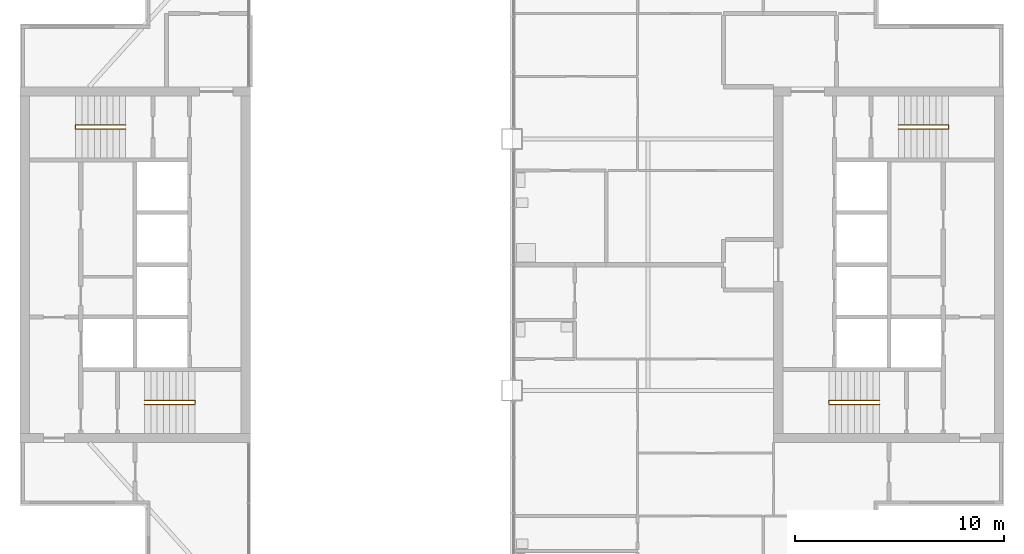
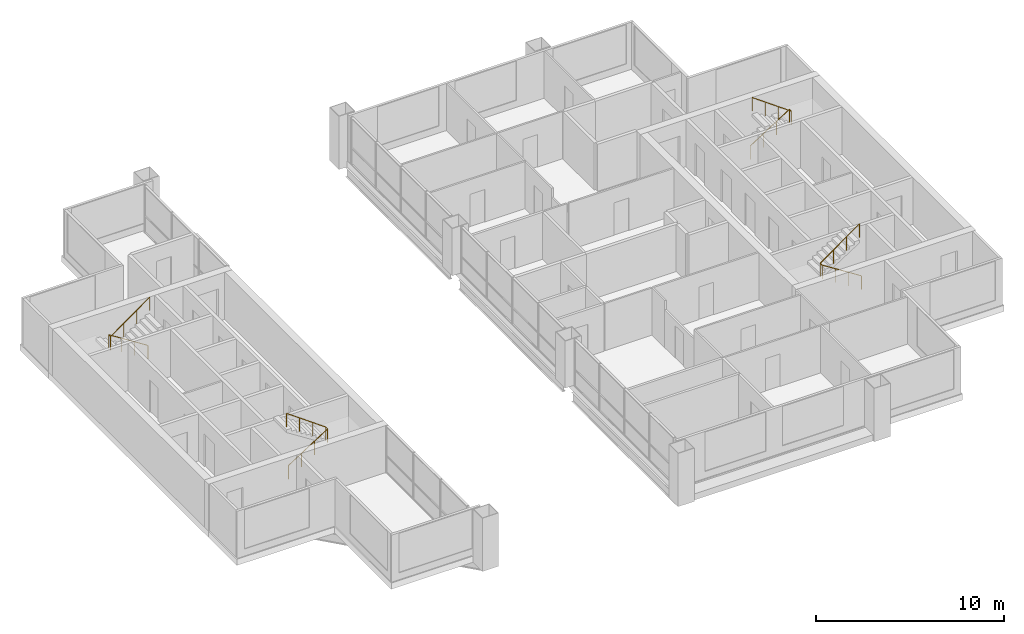
# One storey, part 11 of 12: 4 railings.
"""IFC4 building model written with IfcOpenShell, lengths in metres."""

from ifc_helpers import new_model, si_unit, direction, frame, origin, origin_2d, place, context, subcontext, project, spatial, circle, extrude, material, type_object, element, save


model = new_model("IFC4")

# Units and contexts
model_context = context("Model", 3, precision=1e-05, world=origin(), true_north=direction((0.0, 1.0)))
body_context = subcontext(model_context, "Body", "Model", "MODEL_VIEW")
ifc_project = project(units=[si_unit("LENGTHUNIT", "METRE"), si_unit("AREAUNIT", "SQUARE_METRE"), si_unit("VOLUMEUNIT", "CUBIC_METRE"), si_unit("PLANEANGLEUNIT", "RADIAN"), si_unit("MASSUNIT", "GRAM", prefix="KILO")], contexts=[model_context])

# Site, building, storey
site_placement = place(None, origin())
site = spatial("IfcSite", under=ifc_project, at=site_placement, CompositionType="ELEMENT")
building_placement = place(site_placement, origin())
building = spatial("IfcBuilding", under=site, at=building_placement, Name="Kitamizu Gate Tower and Museum", CompositionType="ELEMENT")
storey_placement = place(building_placement, frame((0.0, 0.0, 255.89990234375)))
storey = spatial("IfcBuildingStorey", under=building, at=storey_placement, Name="L69", CompositionType="ELEMENT", Elevation=255.89990234375)

# Railings
ifc_material = material(Name="Stainless steel SUS304", Category="steel")
railing_type = type_object("IfcRailingType", Name="Stair handrail 900", PredefinedType="HANDRAIL", material=ifc_material)
railing_1_placement = place(storey_placement, frame((18.449951171875, 23.324951171875, 0.191650390625)))
element("IfcRailing", 1, at=railing_1_placement, inside=storey, type_object=railing_type, Name="Stair handrail ST1", PredefinedType="HANDRAIL", context=body_context, shape_type="SweptSolid", body=[
    extrude(circle(Radius=0.02392578125, at=origin_2d()), frame((0.0, 0.0, 0.8759765625), z_axis=(0.842693018954, 0.0, 0.538394349715), x_axis=(0.0, 1.0, 0.0)), (0.0, 0.0, 1.0), 2.84814453125),
    extrude(circle(Radius=0.02392578125, at=origin_2d()), frame((2.400146484375, 0.0, 2.4091796875), z_axis=(0.0, 1.0, 0.0), x_axis=(-1.0, 0.0, 0.0)), (0.0, 0.0, 1.0), 0.199951171875),
    extrude(circle(Radius=0.02392578125, at=origin_2d()), frame((2.400146484375, 0.199951171875, 2.4091796875), z_axis=(-0.812016594614, 0.0, 0.583634346205), x_axis=(0.0, -1.0, 0.0)), (0.0, 0.0, 1.0), 2.955810546875),
    extrude(circle(Radius=0.02099609375, at=origin_2d()), origin(), (0.0, 0.0, 1.0), 0.851806640625),
    extrude(circle(Radius=0.02099609375, at=origin_2d()), frame((0.800048828125, 0.0, 0.51123046875)), (0.0, 0.0, 1.0), 0.851806640625),
    extrude(circle(Radius=0.02099609375, at=origin_2d()), frame((1.60009765625, 0.0, 1.022216796875)), (0.0, 0.0, 1.0), 0.851806640625),
    extrude(circle(Radius=0.02099609375, at=origin_2d()), frame((2.400146484375, 0.0, 1.533447265625)), (0.0, 0.0, 1.0), 0.851806640625),
    extrude(circle(Radius=0.02099609375, at=origin_2d()), frame((2.400146484375, 0.199951171875, 1.533447265625)), (0.0, 0.0, 1.0), 0.851806640625),
    extrude(circle(Radius=0.02099609375, at=origin_2d()), frame((1.60009765625, 0.199951171875, 2.1083984375)), (0.0, 0.0, 1.0), 0.851806640625),
    extrude(circle(Radius=0.02099609375, at=origin_2d()), frame((0.800048828125, 0.199951171875, 2.68359375)), (0.0, 0.0, 1.0), 0.851806640625),
    extrude(circle(Radius=0.02099609375, at=origin_2d()), frame((0.0, 0.199951171875, 3.258544921875)), (0.0, 0.0, 1.0), 0.851806640625),
])
railing_2_placement = place(storey_placement, frame((17.550048828125, 36.675048828125, 0.191650390625)))
element("IfcRailing", 2, at=railing_2_placement, inside=storey, type_object=railing_type, Name="Stair handrail ST2", PredefinedType="HANDRAIL", context=body_context, shape_type="SweptSolid", body=[
    extrude(circle(Radius=0.02392578125, at=origin_2d()), frame((0.0, 0.0, 0.8759765625), z_axis=(-0.842693018954, 0.0, 0.538394349715), x_axis=(0.0, -1.0, 0.0)), (0.0, 0.0, 1.0), 2.84814453125),
    extrude(circle(Radius=0.02392578125, at=origin_2d()), frame((-2.400146484375, 0.0, 2.4091796875), z_axis=(0.0, -1.0, 0.0), x_axis=(1.0, 0.0, 0.0)), (0.0, 0.0, 1.0), 0.199951171875),
    extrude(circle(Radius=0.02392578125, at=origin_2d()), frame((-2.400146484375, -0.199951171875, 2.4091796875), z_axis=(0.812016594614, 0.0, 0.583634346205), x_axis=(0.0, 1.0, 0.0)), (0.0, 0.0, 1.0), 2.955810546875),
    extrude(circle(Radius=0.02099609375, at=origin_2d()), origin(), (0.0, 0.0, 1.0), 0.851806640625),
    extrude(circle(Radius=0.02099609375, at=origin_2d()), frame((-0.800048828125, 0.0, 0.51123046875)), (0.0, 0.0, 1.0), 0.851806640625),
    extrude(circle(Radius=0.02099609375, at=origin_2d()), frame((-1.60009765625, 0.0, 1.022216796875)), (0.0, 0.0, 1.0), 0.851806640625),
    extrude(circle(Radius=0.02099609375, at=origin_2d()), frame((-2.400146484375, 0.0, 1.533447265625)), (0.0, 0.0, 1.0), 0.851806640625),
    extrude(circle(Radius=0.02099609375, at=origin_2d()), frame((-2.400146484375, -0.199951171875, 1.533447265625)), (0.0, 0.0, 1.0), 0.851806640625),
    extrude(circle(Radius=0.02099609375, at=origin_2d()), frame((-1.60009765625, -0.199951171875, 2.1083984375)), (0.0, 0.0, 1.0), 0.851806640625),
    extrude(circle(Radius=0.02099609375, at=origin_2d()), frame((-0.800048828125, -0.199951171875, 2.68359375)), (0.0, 0.0, 1.0), 0.851806640625),
    extrude(circle(Radius=0.02099609375, at=origin_2d()), frame((0.0, -0.199951171875, 3.258544921875)), (0.0, 0.0, 1.0), 0.851806640625),
])
railing_3_placement = place(storey_placement, frame((53.550048828125, 23.324951171875, 0.191650390625)))
element("IfcRailing", 3, at=railing_3_placement, inside=storey, type_object=railing_type, Name="Stair handrail ST3", PredefinedType="HANDRAIL", context=body_context, shape_type="SweptSolid", body=[
    extrude(circle(Radius=0.02392578125, at=origin_2d()), frame((0.0, 0.0, 0.8759765625), z_axis=(-0.842693018954, 0.0, 0.538394349715), x_axis=(0.0, -1.0, 0.0)), (0.0, 0.0, 1.0), 2.84814453125),
    extrude(circle(Radius=0.02392578125, at=origin_2d()), frame((-2.400146484375, 0.0, 2.4091796875), z_axis=(0.0, 1.0, 0.0), x_axis=(-1.0, 0.0, 0.0)), (0.0, 0.0, 1.0), 0.199951171875),
    extrude(circle(Radius=0.02392578125, at=origin_2d()), frame((-2.400146484375, 0.199951171875, 2.4091796875), z_axis=(0.812016594614, 0.0, 0.583634346205), x_axis=(0.0, 1.0, 0.0)), (0.0, 0.0, 1.0), 2.955810546875),
    extrude(circle(Radius=0.02099609375, at=origin_2d()), origin(), (0.0, 0.0, 1.0), 0.851806640625),
    extrude(circle(Radius=0.02099609375, at=origin_2d()), frame((-0.800048828125, 0.0, 0.51123046875)), (0.0, 0.0, 1.0), 0.851806640625),
    extrude(circle(Radius=0.02099609375, at=origin_2d()), frame((-1.60009765625, 0.0, 1.022216796875)), (0.0, 0.0, 1.0), 0.851806640625),
    extrude(circle(Radius=0.02099609375, at=origin_2d()), frame((-2.400146484375, 0.0, 1.533447265625)), (0.0, 0.0, 1.0), 0.851806640625),
    extrude(circle(Radius=0.02099609375, at=origin_2d()), frame((-2.400146484375, 0.199951171875, 1.533447265625)), (0.0, 0.0, 1.0), 0.851806640625),
    extrude(circle(Radius=0.02099609375, at=origin_2d()), frame((-1.60009765625, 0.199951171875, 2.1083984375)), (0.0, 0.0, 1.0), 0.851806640625),
    extrude(circle(Radius=0.02099609375, at=origin_2d()), frame((-0.800048828125, 0.199951171875, 2.68359375)), (0.0, 0.0, 1.0), 0.851806640625),
    extrude(circle(Radius=0.02099609375, at=origin_2d()), frame((0.0, 0.199951171875, 3.258544921875)), (0.0, 0.0, 1.0), 0.851806640625),
])
railing_4_placement = place(storey_placement, frame((54.449951171875, 36.675048828125, 0.191650390625)))
element("IfcRailing", 4, at=railing_4_placement, inside=storey, type_object=railing_type, Name="Stair handrail ST4", PredefinedType="HANDRAIL", context=body_context, shape_type="SweptSolid", body=[
    extrude(circle(Radius=0.02392578125, at=origin_2d()), frame((0.0, 0.0, 0.8759765625), z_axis=(0.842693018954, 0.0, 0.538394349715), x_axis=(0.0, 1.0, 0.0)), (0.0, 0.0, 1.0), 2.84814453125),
    extrude(circle(Radius=0.02392578125, at=origin_2d()), frame((2.400146484375, 0.0, 2.4091796875), z_axis=(0.0, -1.0, 0.0), x_axis=(1.0, 0.0, 0.0)), (0.0, 0.0, 1.0), 0.199951171875),
    extrude(circle(Radius=0.02392578125, at=origin_2d()), frame((2.400146484375, -0.199951171875, 2.4091796875), z_axis=(-0.812016594614, 0.0, 0.583634346205), x_axis=(0.0, -1.0, 0.0)), (0.0, 0.0, 1.0), 2.955810546875),
    extrude(circle(Radius=0.02099609375, at=origin_2d()), origin(), (0.0, 0.0, 1.0), 0.851806640625),
    extrude(circle(Radius=0.02099609375, at=origin_2d()), frame((0.800048828125, 0.0, 0.51123046875)), (0.0, 0.0, 1.0), 0.851806640625),
    extrude(circle(Radius=0.02099609375, at=origin_2d()), frame((1.60009765625, 0.0, 1.022216796875)), (0.0, 0.0, 1.0), 0.851806640625),
    extrude(circle(Radius=0.02099609375, at=origin_2d()), frame((2.400146484375, 0.0, 1.533447265625)), (0.0, 0.0, 1.0), 0.851806640625),
    extrude(circle(Radius=0.02099609375, at=origin_2d()), frame((2.400146484375, -0.199951171875, 1.533447265625)), (0.0, 0.0, 1.0), 0.851806640625),
    extrude(circle(Radius=0.02099609375, at=origin_2d()), frame((1.60009765625, -0.199951171875, 2.1083984375)), (0.0, 0.0, 1.0), 0.851806640625),
    extrude(circle(Radius=0.02099609375, at=origin_2d()), frame((0.800048828125, -0.199951171875, 2.68359375)), (0.0, 0.0, 1.0), 0.851806640625),
    extrude(circle(Radius=0.02099609375, at=origin_2d()), frame((0.0, -0.199951171875, 3.258544921875)), (0.0, 0.0, 1.0), 0.851806640625),
])

save(model, "model.ifc")
